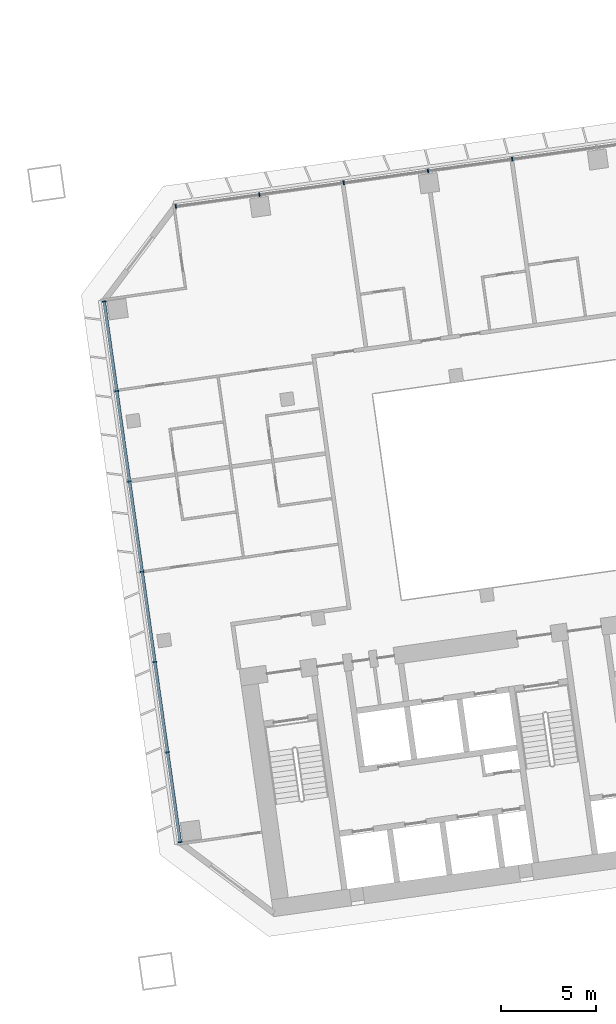
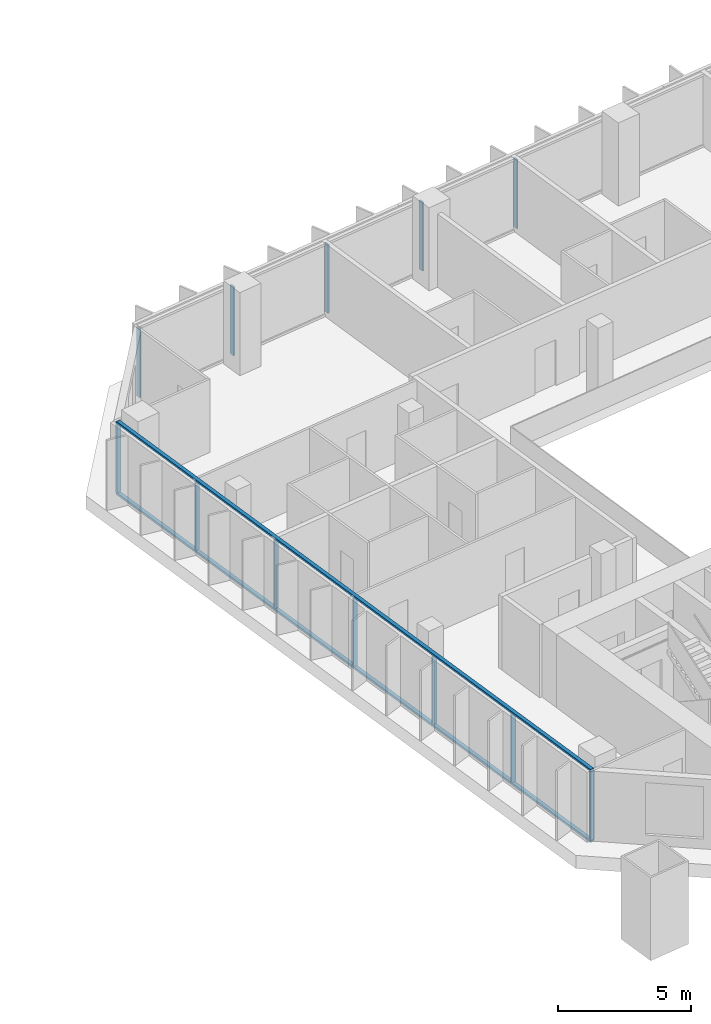
# One storey, part 7 of 25: 14 members, 2 elements without a shape of their own.
"""IFC4 building model written with IfcOpenShell, lengths in metres."""

from ifc_helpers import new_model, si_unit, direction, frame, origin, origin_2d, place, context, subcontext, project, spatial, rectangle, extrude, material, material_profile, profile_set, type_object, element, aggregate, save


model = new_model("IFC4")

# Units and contexts
model_context = context("Model", 3, precision=1e-05, world=origin(), true_north=direction((0.0, 1.0)))
body_context = subcontext(model_context, "Body", "Model", "MODEL_VIEW")
ifc_project = project(units=[si_unit("LENGTHUNIT", "METRE"), si_unit("AREAUNIT", "SQUARE_METRE"), si_unit("VOLUMEUNIT", "CUBIC_METRE"), si_unit("PLANEANGLEUNIT", "RADIAN"), si_unit("MASSUNIT", "GRAM", prefix="KILO")], contexts=[model_context])

# Site, building, storey
site_placement = place(None, origin())
site = spatial("IfcSite", under=ifc_project, at=site_placement, CompositionType="ELEMENT")
building_placement = place(site_placement, origin())
building = spatial("IfcBuilding", under=site, at=building_placement, Name="Mirante Cascada Hotel Towers", CompositionType="ELEMENT")
storey_placement = place(building_placement, frame((0.0, 0.0, 73.7)))
storey = spatial("IfcBuildingStorey", under=building, at=storey_placement, Name="L15", CompositionType="ELEMENT", Elevation=73.7)

# Curtain wall, members
ifc_material_1 = material(Name="Aluminium mullion and transom frame with clear laminated glass", Category="aluminium")
curtain_wall_type_1 = type_object("IfcCurtainWallType", Name="Ribbon curtain wall ECW1", PredefinedType="NOTDEFINED", material=ifc_material_1)
curtain_wall_1_placement = place(storey_placement, origin())
curtain_wall_1 = element("IfcCurtainWall", 1, at=curtain_wall_1_placement, inside=storey, type_object=curtain_wall_type_1, Name="Front ribbon wall T2 L15", PredefinedType="NOTDEFINED")
ifc_material_2 = material(Name="Anodised aluminium extrusion", Category="aluminium")
ifc_material_profile_1 = material_profile(ifc_material_2, rectangle(XDim=0.2, YDim=0.065, at=origin_2d()), Name="ECW1 MULLION 65x200")
ifc_profile_set_1 = profile_set([ifc_material_profile_1], Name="Anodised aluminium extrusion")
member_type_1 = type_object("IfcMemberType", Name="ECW1 mullion 65x200", PredefinedType="MULLION", material=ifc_profile_set_1)
member_1_placement = place(storey_placement, frame((49.684, 19.8017, 0.1), z_axis=(0.0, 0.0, 1.0), x_axis=(0.1391731, -0.9902681, 0.0)))
member_1 = element("IfcMember", 2, at=member_1_placement, type_object=member_type_1, Name="ECW1 mullion 11", PredefinedType="MULLION", context=body_context, shape_type="SweptSolid", body=[
    extrude(rectangle(XDim=0.2, YDim=0.065, at=origin_2d()), origin(), (0.0, 0.0, 1.0), 3.15),
])
member_2_placement = place(storey_placement, frame((45.2366, 19.1766, 0.1), z_axis=(0.0, 0.0, 1.0), x_axis=(0.1391731, -0.9902681, 0.0)))
member_2 = element("IfcMember", 3, at=member_2_placement, type_object=member_type_1, Name="ECW1 mullion 12", PredefinedType="MULLION", context=body_context, shape_type="SweptSolid", body=[
    extrude(rectangle(XDim=0.2, YDim=0.065, at=origin_2d()), origin(), (0.0, 0.0, 1.0), 3.15),
])
member_3_placement = place(storey_placement, frame((40.7892, 18.5516, 0.1), z_axis=(0.0, 0.0, 1.0), x_axis=(0.1391731, -0.9902681, 0.0)))
member_3 = element("IfcMember", 4, at=member_3_placement, type_object=member_type_1, Name="ECW1 mullion 13", PredefinedType="MULLION", context=body_context, shape_type="SweptSolid", body=[
    extrude(rectangle(XDim=0.2, YDim=0.065, at=origin_2d()), origin(), (0.0, 0.0, 1.0), 3.15),
])
member_4_placement = place(storey_placement, frame((36.3417, 17.9265, 0.1), z_axis=(0.0, 0.0, 1.0), x_axis=(0.1391731, -0.9902681, 0.0)))
member_4 = element("IfcMember", 5, at=member_4_placement, type_object=member_type_1, Name="ECW1 mullion 14", PredefinedType="MULLION", context=body_context, shape_type="SweptSolid", body=[
    extrude(rectangle(XDim=0.2, YDim=0.065, at=origin_2d()), origin(), (0.0, 0.0, 1.0), 3.15),
])
member_5_placement = place(storey_placement, frame((31.9265, 17.306, 0.1), z_axis=(0.0, 0.0, 1.0), x_axis=(0.1391731, -0.9902681, 0.0)))
member_5 = element("IfcMember", 6, at=member_5_placement, type_object=member_type_1, Name="ECW1 mullion 15", PredefinedType="MULLION", context=body_context, shape_type="SweptSolid", body=[
    extrude(rectangle(XDim=0.2, YDim=0.065, at=origin_2d()), origin(), (0.0, 0.0, 1.0), 3.15),
])
aggregate(curtain_wall_1, [member_1, member_2, member_3, member_4, member_5])

ifc_material_3 = material(Name="Aluminium mullion and transom frame with clear laminated glass", Category="aluminium")
curtain_wall_type_2 = type_object("IfcCurtainWallType", Name="End ribbon curtain wall ECW2", PredefinedType="NOTDEFINED", material=ifc_material_3)
curtain_wall_2_placement = place(storey_placement, origin())
curtain_wall_2 = element("IfcCurtainWall", 7, at=curtain_wall_2_placement, inside=storey, type_object=curtain_wall_type_2, Name="Inner end wall T2 L15", PredefinedType="NOTDEFINED")
ifc_material_4 = material(Name="Anodised aluminium extrusion", Category="aluminium")
ifc_material_profile_2 = material_profile(ifc_material_4, rectangle(XDim=0.2, YDim=0.065, at=origin_2d()), Name="ECW2 MULLION 65x200")
ifc_profile_set_2 = profile_set([ifc_material_profile_2], Name="Anodised aluminium extrusion")
member_type_2 = type_object("IfcMemberType", Name="ECW2 mullion 65x200", PredefinedType="MULLION", material=ifc_profile_set_2)
member_6_placement = place(storey_placement, frame((28.1437, 12.2861, 0.1), z_axis=(0.0, 0.0, 1.0), x_axis=(0.9902681, 0.1391731, 0.0)))
member_6 = element("IfcMember", 8, at=member_6_placement, type_object=member_type_2, Name="ECW2 mullion 1", PredefinedType="MULLION", context=body_context, shape_type="SweptSolid", body=[
    extrude(rectangle(XDim=0.2, YDim=0.065, at=origin_2d()), origin(), (0.0, 0.0, 1.0), 3.15),
])
member_7_placement = place(storey_placement, frame((28.809, 7.5524, 0.1), z_axis=(0.0, 0.0, 1.0), x_axis=(0.9902681, 0.1391731, 0.0)))
member_7 = element("IfcMember", 9, at=member_7_placement, type_object=member_type_2, Name="ECW2 mullion 2", PredefinedType="MULLION", context=body_context, shape_type="SweptSolid", body=[
    extrude(rectangle(XDim=0.2, YDim=0.065, at=origin_2d()), origin(), (0.0, 0.0, 1.0), 3.15),
])
member_8_placement = place(storey_placement, frame((29.4788, 2.7867, 0.1), z_axis=(0.0, 0.0, 1.0), x_axis=(0.9902681, 0.1391731, 0.0)))
member_8 = element("IfcMember", 10, at=member_8_placement, type_object=member_type_2, Name="ECW2 mullion 3", PredefinedType="MULLION", context=body_context, shape_type="SweptSolid", body=[
    extrude(rectangle(XDim=0.2, YDim=0.065, at=origin_2d()), origin(), (0.0, 0.0, 1.0), 3.15),
])
member_9_placement = place(storey_placement, frame((30.1485, -1.9791, 0.1), z_axis=(0.0, 0.0, 1.0), x_axis=(0.9902681, 0.1391731, 0.0)))
member_9 = element("IfcMember", 11, at=member_9_placement, type_object=member_type_2, Name="ECW2 mullion 4", PredefinedType="MULLION", context=body_context, shape_type="SweptSolid", body=[
    extrude(rectangle(XDim=0.2, YDim=0.065, at=origin_2d()), origin(), (0.0, 0.0, 1.0), 3.15),
])
member_10_placement = place(storey_placement, frame((30.8183, -6.7449, 0.1), z_axis=(0.0, 0.0, 1.0), x_axis=(0.9902681, 0.1391731, 0.0)))
member_10 = element("IfcMember", 12, at=member_10_placement, type_object=member_type_2, Name="ECW2 mullion 5", PredefinedType="MULLION", context=body_context, shape_type="SweptSolid", body=[
    extrude(rectangle(XDim=0.2, YDim=0.065, at=origin_2d()), origin(), (0.0, 0.0, 1.0), 3.15),
])
member_11_placement = place(storey_placement, frame((31.4881, -11.5107, 0.1), z_axis=(0.0, 0.0, 1.0), x_axis=(0.9902681, 0.1391731, 0.0)))
member_11 = element("IfcMember", 13, at=member_11_placement, type_object=member_type_2, Name="ECW2 mullion 6", PredefinedType="MULLION", context=body_context, shape_type="SweptSolid", body=[
    extrude(rectangle(XDim=0.2, YDim=0.065, at=origin_2d()), origin(), (0.0, 0.0, 1.0), 3.15),
])
member_12_placement = place(storey_placement, frame((32.1534, -16.2443, 0.1), z_axis=(0.0, 0.0, 1.0), x_axis=(0.9902681, 0.1391731, 0.0)))
member_12 = element("IfcMember", 14, at=member_12_placement, type_object=member_type_2, Name="ECW2 mullion 7", PredefinedType="MULLION", context=body_context, shape_type="SweptSolid", body=[
    extrude(rectangle(XDim=0.2, YDim=0.065, at=origin_2d()), origin(), (0.0, 0.0, 1.0), 3.15),
])
ifc_material_5 = material(Name="Anodised aluminium extrusion", Category="aluminium")
ifc_material_profile_3 = material_profile(ifc_material_5, rectangle(XDim=0.16, YDim=0.1, at=origin_2d()), Name="ECW2 TRANSOM 100x160")
ifc_profile_set_3 = profile_set([ifc_material_profile_3], Name="Anodised aluminium extrusion")
member_type_3 = type_object("IfcMemberType", Name="ECW2 transom 100x160", PredefinedType="USERDEFINED", material=ifc_profile_set_3)
member_13_placement = place(storey_placement, frame((28.1392, 12.3182, 0.05), z_axis=(0.1391723, -0.9902682, 0.0), x_axis=(0.9902682, 0.1391723, 0.0)))
member_13 = element("IfcMember", 15, at=member_13_placement, type_object=member_type_3, Name="ECW2 sill transom", ObjectType="TRANSOM", PredefinedType="USERDEFINED", context=body_context, shape_type="SweptSolid", body=[
    extrude(rectangle(XDim=0.16, YDim=0.1, at=origin_2d()), origin(), (0.0, 0.0, 1.0), 28.8757),
])
member_14_placement = place(storey_placement, frame((28.1392, 12.3182, 3.3), z_axis=(0.1391723, -0.9902682, 0.0), x_axis=(0.9902682, 0.1391723, 0.0)))
member_14 = element("IfcMember", 16, at=member_14_placement, type_object=member_type_3, Name="ECW2 head transom", ObjectType="TRANSOM", PredefinedType="USERDEFINED", context=body_context, shape_type="SweptSolid", body=[
    extrude(rectangle(XDim=0.16, YDim=0.1, at=origin_2d()), origin(), (0.0, 0.0, 1.0), 28.8757),
])
aggregate(curtain_wall_2, [member_13, member_14, member_6, member_7, member_8, member_9, member_10, member_11, member_12])

save(model, "model.ifc")
